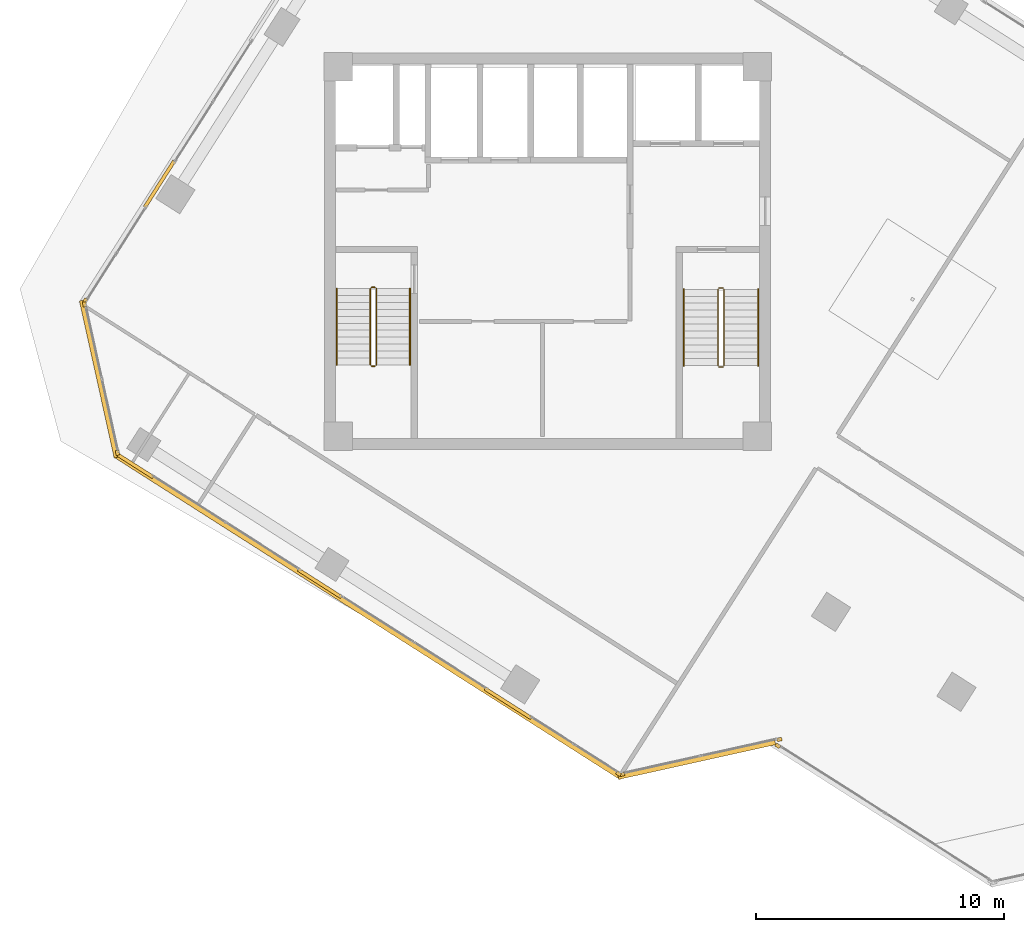
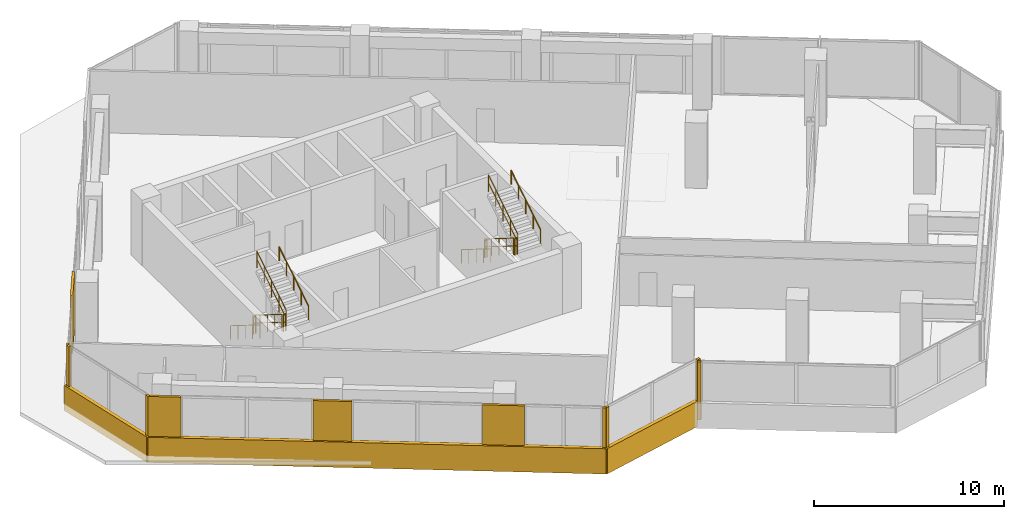
# One storey, part 21 of 23: 14 coverings, 12 railings.
"""IFC4 building model written with IfcOpenShell, lengths in metres."""

from ifc_helpers import new_model, si_unit, direction, frame, origin, origin_2d, place, context, subcontext, project, spatial, rectangle, circle, extrude, source, transform, mapped, material, layer, layer_set, type_object, element, save


model = new_model("IFC4")

# Units and contexts
model_context = context("Model", 3, precision=1e-05, world=origin(), true_north=direction((0.0, 1.0)))
body_context = subcontext(model_context, "Body", "Model", "MODEL_VIEW")
ifc_project = project(units=[si_unit("LENGTHUNIT", "METRE"), si_unit("AREAUNIT", "SQUARE_METRE"), si_unit("VOLUMEUNIT", "CUBIC_METRE"), si_unit("PLANEANGLEUNIT", "RADIAN"), si_unit("MASSUNIT", "GRAM", prefix="KILO")], contexts=[model_context])

# Site, building, storey
site_placement = place(None, origin())
site = spatial("IfcSite", under=ifc_project, at=site_placement, CompositionType="ELEMENT")
building_placement = place(site_placement, origin())
building = spatial("IfcBuilding", under=site, at=building_placement, Name="Torre Montelarca", CompositionType="ELEMENT")
storey_placement = place(building_placement, frame((0.0, 0.0, 187.60009765625)))
storey = spatial("IfcBuildingStorey", under=building, at=storey_placement, Name="L42", CompositionType="ELEMENT", Elevation=187.60009765625)

# Railings
ifc_material_1 = material(Name="Powder-coated steel ASTM A500 Grade C", Category="steel")
railing_type_1 = type_object("IfcRailingType", Name="RL-GUARD-1100", PredefinedType="BALUSTRADE", material=ifc_material_1)
railing_1_placement = place(storey_placement, frame((10.85009765625, 30.5, 0.1748046875)))
element("IfcRailing", 1, at=railing_1_placement, inside=storey, type_object=railing_type_1, Name="L42 ST1 stair guard 1", PredefinedType="BALUSTRADE", context=body_context, shape_type="SweptSolid", body=[
    extrude(circle(Radius=0.02392578125, at=origin_2d()), frame((0.0, 0.0, 1.076171875), z_axis=(0.0, -0.847998304005, 0.529998940003), x_axis=(1.0, 0.0, 0.0)), (0.0, 0.0, 1.0), 3.632080078125),
    extrude(circle(Radius=0.02099609375, at=origin_2d()), frame((0.0, 0.0, 0.572021484375), z_axis=(0.0, -0.847998304005, 0.529998940003), x_axis=(1.0, 0.0, 0.0)), (0.0, 0.0, 1.0), 3.632080078125),
    extrude(circle(Radius=0.02099609375, at=origin_2d()), origin(), (0.0, 0.0, 1.0), 1.052001953125),
    extrude(circle(Radius=0.02099609375, at=origin_2d()), frame((0.0, -0.77001953125, 0.481201171875)), (0.0, 0.0, 1.0), 1.052001953125),
    extrude(circle(Radius=0.02099609375, at=origin_2d()), frame((0.0, -1.5400390625, 0.96240234375)), (0.0, 0.0, 1.0), 1.052001953125),
    extrude(circle(Radius=0.02099609375, at=origin_2d()), frame((0.0, -2.31005859375, 1.44384765625)), (0.0, 0.0, 1.0), 1.052001953125),
    extrude(circle(Radius=0.02099609375, at=origin_2d()), frame((0.0, -3.080078125, 1.925048828125)), (0.0, 0.0, 1.0), 1.052001953125),
])
railing_2_placement = place(storey_placement, frame((10.89990234375, 27.3701171875, 2.099853515625)))
element("IfcRailing", 2, at=railing_2_placement, inside=storey, type_object=railing_type_1, Name="L42 ST1 stair guard 2", PredefinedType="BALUSTRADE", context=body_context, shape_type="SweptSolid", body=[
    extrude(circle(Radius=0.02392578125, at=origin_2d()), frame((0.0, 0.0, 1.076171875), z_axis=(1.0, 0.0, 0.0), x_axis=(0.0, 1.0, 0.0)), (0.0, 0.0, 1.0), 0.150146484375),
    extrude(circle(Radius=0.02099609375, at=origin_2d()), frame((0.0, 0.0, 0.572021484375), z_axis=(1.0, 0.0, 0.0), x_axis=(0.0, 1.0, 0.0)), (0.0, 0.0, 1.0), 0.150146484375),
    extrude(circle(Radius=0.02099609375, at=origin_2d()), origin(), (0.0, 0.0, 1.0), 1.052001953125),
    extrude(circle(Radius=0.02099609375, at=origin_2d()), frame((0.150146484375, 0.0, 0.0)), (0.0, 0.0, 1.0), 1.052001953125),
])
railing_3_placement = place(storey_placement, frame((11.10009765625, 27.419921875, 2.27490234375)))
element("IfcRailing", 3, at=railing_3_placement, inside=storey, type_object=railing_type_1, Name="L42 ST1 stair guard 3", PredefinedType="BALUSTRADE", context=body_context, shape_type="SweptSolid", body=[
    extrude(circle(Radius=0.02392578125, at=origin_2d()), frame((0.0, 0.0, 1.076171875), z_axis=(0.0, 0.847998304005, 0.529998940003), x_axis=(-1.0, 0.0, 0.0)), (0.0, 0.0, 1.0), 3.632080078125),
    extrude(circle(Radius=0.02099609375, at=origin_2d()), frame((0.0, 0.0, 0.572021484375), z_axis=(0.0, 0.847998304005, 0.529998940003), x_axis=(-1.0, 0.0, 0.0)), (0.0, 0.0, 1.0), 3.632080078125),
    extrude(circle(Radius=0.02099609375, at=origin_2d()), origin(), (0.0, 0.0, 1.0), 1.052001953125),
    extrude(circle(Radius=0.02099609375, at=origin_2d()), frame((0.0, 0.77001953125, 0.481201171875)), (0.0, 0.0, 1.0), 1.052001953125),
    extrude(circle(Radius=0.02099609375, at=origin_2d()), frame((0.0, 1.5400390625, 0.96240234375)), (0.0, 0.0, 1.0), 1.052001953125),
    extrude(circle(Radius=0.02099609375, at=origin_2d()), frame((0.0, 2.31005859375, 1.44384765625)), (0.0, 0.0, 1.0), 1.052001953125),
    extrude(circle(Radius=0.02099609375, at=origin_2d()), frame((0.0, 3.080078125, 1.925048828125)), (0.0, 0.0, 1.0), 1.052001953125),
])
railing_4_placement = place(storey_placement, frame((10.89990234375, 30.550048828125, 0.0)))
element("IfcRailing", 4, at=railing_4_placement, inside=storey, type_object=railing_type_1, Name="L42 ST1 stair guard 4", PredefinedType="BALUSTRADE", context=body_context, shape_type="SweptSolid", body=[
    extrude(circle(Radius=0.02392578125, at=origin_2d()), frame((0.0, 0.0, 1.076171875), z_axis=(1.0, 0.0, 0.0), x_axis=(0.0, 1.0, 0.0)), (0.0, 0.0, 1.0), 0.150146484375),
    extrude(circle(Radius=0.02099609375, at=origin_2d()), frame((0.0, 0.0, 0.572021484375), z_axis=(1.0, 0.0, 0.0), x_axis=(0.0, 1.0, 0.0)), (0.0, 0.0, 1.0), 0.150146484375),
    extrude(circle(Radius=0.02099609375, at=origin_2d()), origin(), (0.0, 0.0, 1.0), 1.052001953125),
    extrude(circle(Radius=0.02099609375, at=origin_2d()), frame((0.150146484375, 0.0, 0.0)), (0.0, 0.0, 1.0), 1.052001953125),
])
railing_5_placement = place(storey_placement, frame((24.8701171875, 30.469970703125, 0.1748046875)))
element("IfcRailing", 5, at=railing_5_placement, inside=storey, type_object=railing_type_1, Name="L42 ST2 stair guard 1", PredefinedType="BALUSTRADE", context=body_context, shape_type="SweptSolid", body=[
    extrude(circle(Radius=0.02392578125, at=origin_2d()), frame((0.0, 0.0, 1.076171875), z_axis=(0.0, -0.847998304005, 0.529998940003), x_axis=(1.0, 0.0, 0.0)), (0.0, 0.0, 1.0), 3.632080078125),
    extrude(circle(Radius=0.02099609375, at=origin_2d()), frame((0.0, 0.0, 0.572021484375), z_axis=(0.0, -0.847998304005, 0.529998940003), x_axis=(1.0, 0.0, 0.0)), (0.0, 0.0, 1.0), 3.632080078125),
    extrude(circle(Radius=0.02099609375, at=origin_2d()), origin(), (0.0, 0.0, 1.0), 1.052001953125),
    extrude(circle(Radius=0.02099609375, at=origin_2d()), frame((0.0, -0.77001953125, 0.481201171875)), (0.0, 0.0, 1.0), 1.052001953125),
    extrude(circle(Radius=0.02099609375, at=origin_2d()), frame((0.0, -1.5400390625, 0.96240234375)), (0.0, 0.0, 1.0), 1.052001953125),
    extrude(circle(Radius=0.02099609375, at=origin_2d()), frame((0.0, -2.31005859375, 1.44384765625)), (0.0, 0.0, 1.0), 1.052001953125),
    extrude(circle(Radius=0.02099609375, at=origin_2d()), frame((0.0, -3.080078125, 1.925048828125)), (0.0, 0.0, 1.0), 1.052001953125),
])
railing_6_placement = place(storey_placement, frame((24.919921875, 27.340087890625, 2.099853515625)))
element("IfcRailing", 6, at=railing_6_placement, inside=storey, type_object=railing_type_1, Name="L42 ST2 stair guard 2", PredefinedType="BALUSTRADE", context=body_context, shape_type="SweptSolid", body=[
    extrude(circle(Radius=0.02392578125, at=origin_2d()), frame((0.0, 0.0, 1.076171875), z_axis=(1.0, 0.0, 0.0), x_axis=(0.0, 1.0, 0.0)), (0.0, 0.0, 1.0), 0.150146484375),
    extrude(circle(Radius=0.02099609375, at=origin_2d()), frame((0.0, 0.0, 0.572021484375), z_axis=(1.0, 0.0, 0.0), x_axis=(0.0, 1.0, 0.0)), (0.0, 0.0, 1.0), 0.150146484375),
    extrude(circle(Radius=0.02099609375, at=origin_2d()), origin(), (0.0, 0.0, 1.0), 1.052001953125),
    extrude(circle(Radius=0.02099609375, at=origin_2d()), frame((0.150146484375, 0.0, 0.0)), (0.0, 0.0, 1.0), 1.052001953125),
])
railing_7_placement = place(storey_placement, frame((25.1201171875, 27.389892578125, 2.27490234375)))
element("IfcRailing", 7, at=railing_7_placement, inside=storey, type_object=railing_type_1, Name="L42 ST2 stair guard 3", PredefinedType="BALUSTRADE", context=body_context, shape_type="SweptSolid", body=[
    extrude(circle(Radius=0.02392578125, at=origin_2d()), frame((0.0, 0.0, 1.076171875), z_axis=(0.0, 0.847998304005, 0.529998940003), x_axis=(-1.0, 0.0, 0.0)), (0.0, 0.0, 1.0), 3.632080078125),
    extrude(circle(Radius=0.02099609375, at=origin_2d()), frame((0.0, 0.0, 0.572021484375), z_axis=(0.0, 0.847998304005, 0.529998940003), x_axis=(-1.0, 0.0, 0.0)), (0.0, 0.0, 1.0), 3.632080078125),
    extrude(circle(Radius=0.02099609375, at=origin_2d()), origin(), (0.0, 0.0, 1.0), 1.052001953125),
    extrude(circle(Radius=0.02099609375, at=origin_2d()), frame((0.0, 0.77001953125, 0.481201171875)), (0.0, 0.0, 1.0), 1.052001953125),
    extrude(circle(Radius=0.02099609375, at=origin_2d()), frame((0.0, 1.5400390625, 0.96240234375)), (0.0, 0.0, 1.0), 1.052001953125),
    extrude(circle(Radius=0.02099609375, at=origin_2d()), frame((0.0, 2.31005859375, 1.44384765625)), (0.0, 0.0, 1.0), 1.052001953125),
    extrude(circle(Radius=0.02099609375, at=origin_2d()), frame((0.0, 3.080078125, 1.925048828125)), (0.0, 0.0, 1.0), 1.052001953125),
])
railing_8_placement = place(storey_placement, frame((24.919921875, 30.52001953125, 0.0)))
element("IfcRailing", 8, at=railing_8_placement, inside=storey, type_object=railing_type_1, Name="L42 ST2 stair guard 4", PredefinedType="BALUSTRADE", context=body_context, shape_type="SweptSolid", body=[
    extrude(circle(Radius=0.02392578125, at=origin_2d()), frame((0.0, 0.0, 1.076171875), z_axis=(1.0, 0.0, 0.0), x_axis=(0.0, 1.0, 0.0)), (0.0, 0.0, 1.0), 0.150146484375),
    extrude(circle(Radius=0.02099609375, at=origin_2d()), frame((0.0, 0.0, 0.572021484375), z_axis=(1.0, 0.0, 0.0), x_axis=(0.0, 1.0, 0.0)), (0.0, 0.0, 1.0), 0.150146484375),
    extrude(circle(Radius=0.02099609375, at=origin_2d()), origin(), (0.0, 0.0, 1.0), 1.052001953125),
    extrude(circle(Radius=0.02099609375, at=origin_2d()), frame((0.150146484375, 0.0, 0.0)), (0.0, 0.0, 1.0), 1.052001953125),
])
ifc_material_2 = material(Name="Brushed stainless steel AISI 316", Category="steel")
railing_type_2 = type_object("IfcRailingType", Name="RL-HANDRAIL-900", PredefinedType="HANDRAIL", material=ifc_material_2)
railing_9_placement = place(storey_placement, frame((9.5, 30.5, 0.1748046875)))
element("IfcRailing", 9, at=railing_9_placement, inside=storey, type_object=railing_type_2, Name="L42 ST1 stair handrail 1", PredefinedType="HANDRAIL", context=body_context, shape_type="SweptSolid", body=[
    extrude(circle(Radius=0.02392578125, at=origin_2d()), frame((0.0, 0.0, 0.8759765625), z_axis=(0.0, -0.847998304005, 0.529998940003), x_axis=(1.0, 0.0, 0.0)), (0.0, 0.0, 1.0), 3.632080078125),
    extrude(circle(Radius=0.02099609375, at=origin_2d()), origin(), (0.0, 0.0, 1.0), 0.851806640625),
    extrude(circle(Radius=0.02099609375, at=origin_2d()), frame((0.0, -0.77001953125, 0.481201171875)), (0.0, 0.0, 1.0), 0.851806640625),
    extrude(circle(Radius=0.02099609375, at=origin_2d()), frame((0.0, -1.5400390625, 0.96240234375)), (0.0, 0.0, 1.0), 0.851806640625),
    extrude(circle(Radius=0.02099609375, at=origin_2d()), frame((0.0, -2.31005859375, 1.44384765625)), (0.0, 0.0, 1.0), 0.851806640625),
    extrude(circle(Radius=0.02099609375, at=origin_2d()), frame((0.0, -3.080078125, 1.925048828125)), (0.0, 0.0, 1.0), 0.851806640625),
])
railing_10_placement = place(storey_placement, frame((12.449951171875, 27.419921875, 2.27490234375)))
element("IfcRailing", 10, at=railing_10_placement, inside=storey, type_object=railing_type_2, Name="L42 ST1 stair handrail 2", PredefinedType="HANDRAIL", context=body_context, shape_type="SweptSolid", body=[
    extrude(circle(Radius=0.02392578125, at=origin_2d()), frame((0.0, 0.0, 0.8759765625), z_axis=(0.0, 0.847998304005, 0.529998940003), x_axis=(-1.0, 0.0, 0.0)), (0.0, 0.0, 1.0), 3.632080078125),
    extrude(circle(Radius=0.02099609375, at=origin_2d()), origin(), (0.0, 0.0, 1.0), 0.851806640625),
    extrude(circle(Radius=0.02099609375, at=origin_2d()), frame((0.0, 0.77001953125, 0.481201171875)), (0.0, 0.0, 1.0), 0.851806640625),
    extrude(circle(Radius=0.02099609375, at=origin_2d()), frame((0.0, 1.5400390625, 0.96240234375)), (0.0, 0.0, 1.0), 0.851806640625),
    extrude(circle(Radius=0.02099609375, at=origin_2d()), frame((0.0, 2.31005859375, 1.44384765625)), (0.0, 0.0, 1.0), 0.851806640625),
    extrude(circle(Radius=0.02099609375, at=origin_2d()), frame((0.0, 3.080078125, 1.925048828125)), (0.0, 0.0, 1.0), 0.851806640625),
])
railing_11_placement = place(storey_placement, frame((23.489990234375, 30.469970703125, 0.1748046875)))
element("IfcRailing", 11, at=railing_11_placement, inside=storey, type_object=railing_type_2, Name="L42 ST2 stair handrail 1", PredefinedType="HANDRAIL", context=body_context, shape_type="SweptSolid", body=[
    extrude(circle(Radius=0.02392578125, at=origin_2d()), frame((0.0, 0.0, 0.8759765625), z_axis=(0.0, -0.847998304005, 0.529998940003), x_axis=(1.0, 0.0, 0.0)), (0.0, 0.0, 1.0), 3.632080078125),
    extrude(circle(Radius=0.02099609375, at=origin_2d()), origin(), (0.0, 0.0, 1.0), 0.851806640625),
    extrude(circle(Radius=0.02099609375, at=origin_2d()), frame((0.0, -0.77001953125, 0.481201171875)), (0.0, 0.0, 1.0), 0.851806640625),
    extrude(circle(Radius=0.02099609375, at=origin_2d()), frame((0.0, -1.5400390625, 0.96240234375)), (0.0, 0.0, 1.0), 0.851806640625),
    extrude(circle(Radius=0.02099609375, at=origin_2d()), frame((0.0, -2.31005859375, 1.44384765625)), (0.0, 0.0, 1.0), 0.851806640625),
    extrude(circle(Radius=0.02099609375, at=origin_2d()), frame((0.0, -3.080078125, 1.925048828125)), (0.0, 0.0, 1.0), 0.851806640625),
])
railing_12_placement = place(storey_placement, frame((26.5, 27.389892578125, 2.27490234375)))
element("IfcRailing", 12, at=railing_12_placement, inside=storey, type_object=railing_type_2, Name="L42 ST2 stair handrail 2", PredefinedType="HANDRAIL", context=body_context, shape_type="SweptSolid", body=[
    extrude(circle(Radius=0.02392578125, at=origin_2d()), frame((0.0, 0.0, 0.8759765625), z_axis=(0.0, 0.847998304005, 0.529998940003), x_axis=(-1.0, 0.0, 0.0)), (0.0, 0.0, 1.0), 3.632080078125),
    extrude(circle(Radius=0.02099609375, at=origin_2d()), origin(), (0.0, 0.0, 1.0), 0.851806640625),
    extrude(circle(Radius=0.02099609375, at=origin_2d()), frame((0.0, 0.77001953125, 0.481201171875)), (0.0, 0.0, 1.0), 0.851806640625),
    extrude(circle(Radius=0.02099609375, at=origin_2d()), frame((0.0, 1.5400390625, 0.96240234375)), (0.0, 0.0, 1.0), 0.851806640625),
    extrude(circle(Radius=0.02099609375, at=origin_2d()), frame((0.0, 2.31005859375, 1.44384765625)), (0.0, 0.0, 1.0), 0.851806640625),
    extrude(circle(Radius=0.02099609375, at=origin_2d()), frame((0.0, 3.080078125, 1.925048828125)), (0.0, 0.0, 1.0), 0.851806640625),
])

# Coverings
ifc_material_3 = material(Name="Bush-hammered warm white precast concrete C45/55", Category="concrete")
ifc_layer = layer(ifc_material_3, 0.139892578125, Name="Bush-hammered warm white precast concrete C45/55", Category="concrete")
ifc_layer_set = layer_set([ifc_layer], Name="Bush-hammered warm white precast concrete C45/55")
covering_type = type_object("IfcCoveringType", Name="COV-TRAY-CLAD", PredefinedType="CLADDING", material=ifc_layer_set)
shared_shape_1 = source(origin(), body_context, "Body", "SweptSolid", [
    extrude(rectangle(XDim=24.219970703125, YDim=0.219970703125, at=origin_2d()), origin(), (0.0, 0.0, 1.0), 1.6201171875),
])
covering_1_placement = place(storey_placement, frame((10.767333984375, 17.29345703125, -0.4501953125), z_axis=(0.0, 0.0, 1.0), x_axis=(0.843391445813, -0.537299608347, 0.0)))
element("IfcCovering", 13, at=covering_1_placement, inside=storey, type_object=covering_type, Name="L42 Architectural White Spandrel Tray Band TRYBOT-01", PredefinedType="CLADDING", context=body_context, shape_type="MappedRepresentation", body=[
    mapped(shared_shape_1, transform((0.0, 0.0, 0.0), scale=1.0)),
])
shared_shape_2 = source(origin(), body_context, "Body", "SweptSolid", [
    extrude(rectangle(XDim=6.48388671875, YDim=0.219970703125, at=origin_2d()), origin(), (0.0, 0.0, 1.0), 1.6201171875),
])
for number, where, z_axis, x_axis, name in (
    (14, (24.01416015625, 11.51171875, -0.4501953125), (0.0, 0.0, 1.0), (0.976296384877, 0.21643790998, 0.0), "L42 Architectural White Spandrel Tray Band TRYBOT-02"),
    (15, (-0.071044921875, 26.855712890625, -0.4501953125), (0.0, 0.0, 1.0), (0.21643790998, -0.976296384877, 0.0), "L42 Architectural White Spandrel Tray Band TRYBOT-11"),
):
    element("IfcCovering", number, at=place(storey_placement, frame(where, z_axis=z_axis, x_axis=x_axis)), inside=storey, type_object=covering_type, Name=name, PredefinedType="CLADDING", context=body_context, shape_type="MappedRepresentation", body=[
        mapped(shared_shape_2, transform((0.0, 0.0, 0.0), scale=1.0)),
    ])
shared_shape_3 = source(origin(), body_context, "Body", "SweptSolid", [
    extrude(rectangle(XDim=0.199951171875, YDim=0.139892578125, at=origin_2d()), origin(), (0.0, 0.0, 1.0), 3.719970703125),
])
for number, where, z_axis, x_axis, name in (
    (16, (20.86474609375, 10.931884765625, 0.0), (0.0, 0.0, 1.0), (0.843389570278, -0.537302552335, 0.0), "L42 Architectural Column Pier Cladding E01-4"),
    (17, (21.0078125, 10.90673828125, 0.0), (0.0, 0.0, 1.0), (0.976299406825, 0.21642427829, 0.0), "L42 Architectural Column Pier Cladding E02-1"),
    (18, (27.353515625, 12.3134765625, 0.0), (0.0, 0.0, 1.0), (0.976299406825, 0.21642427829, 0.0), "L42 Architectural Column Pier Cladding E02-2"),
    (19, (27.28369140625, 12.0595703125, 0.0), (0.0, 0.0, 1.0), (0.843384881397, -0.537309912277, 0.0), "L42 Architectural Column Pier Cladding E04-1"),
    (20, (-0.65087890625, 30.005126953125, 0.0), (0.0, 0.0, 1.0), (-0.537301080342, -0.843390508047, 0.0), "L42 Architectural Column Pier Cladding E10-5"),
    (21, (-0.676025390625, 29.862060546875, 0.0), (0.0, 0.0, 1.0), (0.216436206021, -0.976296762631, 0.0), "L42 Architectural Column Pier Cladding E11-1"),
    (22, (0.651123046875, 23.875244140625, 0.0), (0.0, 0.0, 1.0), (0.216436206021, -0.976296762631, 0.0), "L42 Architectural Column Pier Cladding E11-2"),
):
    element("IfcCovering", number, at=place(storey_placement, frame(where, z_axis=z_axis, x_axis=x_axis)), inside=storey, type_object=covering_type, Name=name, PredefinedType="CLADDING", context=body_context, shape_type="MappedRepresentation", body=[
        mapped(shared_shape_3, transform((0.0, 0.0, 0.0), scale=1.0)),
    ])
shared_shape_4 = source(origin(), body_context, "Body", "SweptSolid", [
    extrude(rectangle(XDim=2.2099609375, YDim=0.139892578125, at=origin_2d()), origin(), (0.0, 0.0, 1.0), 3.719970703125),
])
for number, where, z_axis, x_axis, name in (
    (23, (16.408203125, 13.77099609375, 0.0), (0.0, 0.0, 1.0), (0.843389570278, -0.537302552335, 0.0), "L42 Architectural Column Pier Cladding E01-3"),
    (24, (2.349609375, 34.714599609375, 0.0), (0.0, 0.0, 1.0), (-0.537301080342, -0.843390508047, 0.0), "L42 Architectural Column Pier Cladding E10-4"),
):
    element("IfcCovering", number, at=place(storey_placement, frame(where, z_axis=z_axis, x_axis=x_axis)), inside=storey, type_object=covering_type, Name=name, PredefinedType="CLADDING", context=body_context, shape_type="MappedRepresentation", body=[
        mapped(shared_shape_4, transform((0.0, 0.0, 0.0), scale=1.0)),
    ])
shared_shape_5 = source(origin(), body_context, "Body", "SweptSolid", [
    extrude(rectangle(XDim=1.714111328125, YDim=0.139892578125, at=origin_2d()), origin(), (0.0, 0.0, 1.0), 3.719970703125),
])
covering_2_placement = place(storey_placement, frame((1.373046875, 23.349609375, 0.0), z_axis=(0.0, 0.0, 1.0), x_axis=(0.843389570278, -0.537302552335, 0.0)))
element("IfcCovering", 25, at=covering_2_placement, inside=storey, type_object=covering_type, Name="L42 Architectural Column Pier Cladding E01-1", PredefinedType="CLADDING", context=body_context, shape_type="MappedRepresentation", body=[
    mapped(shared_shape_5, transform((0.0, 0.0, 0.0), scale=1.0)),
])
shared_shape_6 = source(origin(), body_context, "Body", "SweptSolid", [
    extrude(rectangle(XDim=2.06005859375, YDim=0.139892578125, at=origin_2d()), origin(), (0.0, 0.0, 1.0), 3.719970703125),
])
covering_3_placement = place(storey_placement, frame((8.817626953125, 18.606689453125, 0.0), z_axis=(0.0, 0.0, 1.0), x_axis=(0.843389570278, -0.537302552335, 0.0)))
element("IfcCovering", 26, at=covering_3_placement, inside=storey, type_object=covering_type, Name="L42 Architectural Column Pier Cladding E01-2", PredefinedType="CLADDING", context=body_context, shape_type="MappedRepresentation", body=[
    mapped(shared_shape_6, transform((0.0, 0.0, 0.0), scale=1.0)),
])

save(model, "model.ifc")
